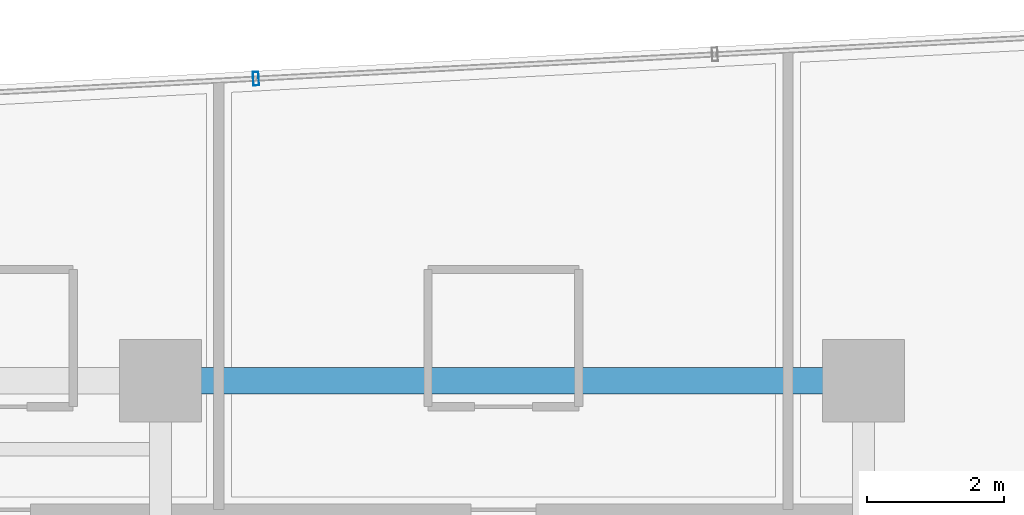
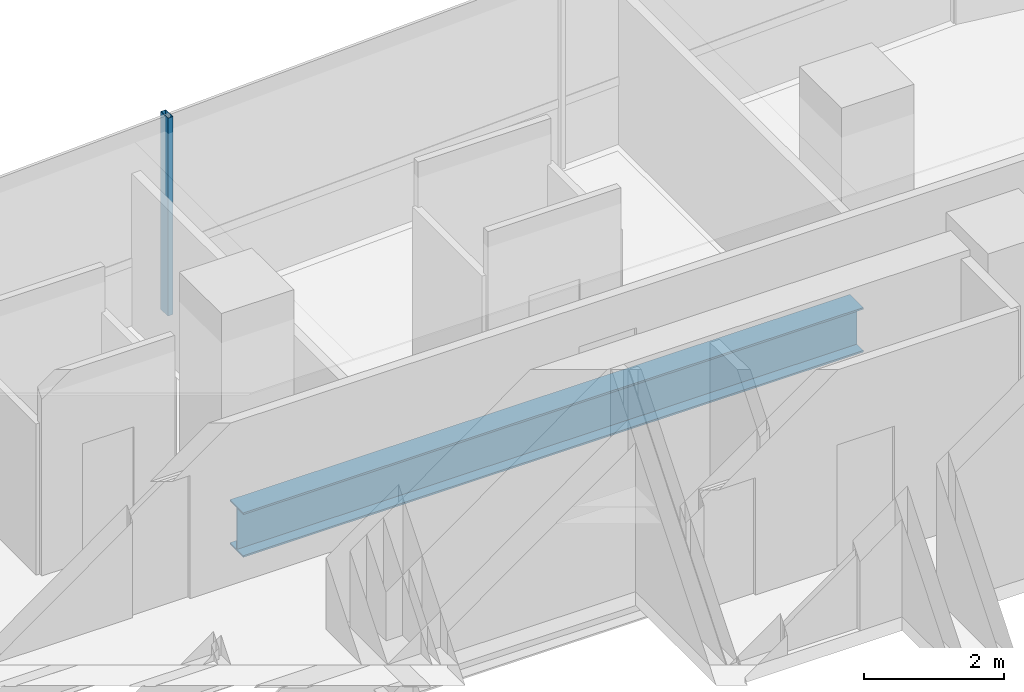
# One storey, part 19 of 33: 1 beam, 1 member, 1 element without a shape of its own.
"""IFC4 building model written with IfcOpenShell, lengths in metres."""

from ifc_helpers import new_model, si_unit, direction, frame, origin, origin_2d, place, context, subcontext, project, spatial, hollow_rectangle, i_section, extrude, source, transform, mapped, material, material_profile, profile_set, type_object, element, aggregate, save


model = new_model("IFC4")

# Units and contexts
model_context = context("Model", 3, precision=1e-05, world=origin(), true_north=direction((0.0, 1.0)))
body_context = subcontext(model_context, "Body", "Model", "MODEL_VIEW")
ifc_project = project(units=[si_unit("LENGTHUNIT", "METRE"), si_unit("AREAUNIT", "SQUARE_METRE"), si_unit("VOLUMEUNIT", "CUBIC_METRE"), si_unit("PLANEANGLEUNIT", "RADIAN"), si_unit("MASSUNIT", "GRAM", prefix="KILO")], contexts=[model_context])

# Site, building, storey
site_placement = place(None, origin())
site = spatial("IfcSite", under=ifc_project, at=site_placement, CompositionType="ELEMENT")
building_placement = place(site_placement, origin())
building = spatial("IfcBuilding", under=site, at=building_placement, Name="Valdorenza Pilgrim Sanctuary Tower", CompositionType="ELEMENT")
storey_placement = place(building_placement, frame((0.0, 0.0, 157.5)))
storey = spatial("IfcBuildingStorey", under=building, at=storey_placement, Name="L40", CompositionType="ELEMENT", Elevation=157.5)

# Beam
ifc_material_1 = material(Name="Steel ASTM A992 Grade 50", Category="steel")
ifc_material_profile_1 = material_profile(ifc_material_1, i_section(OverallWidth=0.382080078125, OverallDepth=0.779052734375, WebThickness=0.01806640625, FlangeThickness=0.030029296875, at=origin_2d()), Name="W30X191")
ifc_profile_set_1 = profile_set([ifc_material_profile_1], Name="Steel ASTM A992 Grade 50")
beam_type = type_object("IfcBeamType", Name="STR-BM-GRD-W30", PredefinedType="BEAM", material=ifc_profile_set_1)
shared_shape_1 = source(origin(), body_context, "Body", "SweptSolid", [
    extrude(i_section(OverallWidth=0.382080078125, OverallDepth=0.779052734375, WebThickness=0.01806640625, FlangeThickness=0.030029296875, at=origin_2d()), origin(), (0.0, 0.0, 1.0), 10.25),
])
beam_placement = place(storey_placement, frame((-22.64990234375, 14.800048828125, -0.62939453125), z_axis=(1.0, 0.0, 0.0), x_axis=(0.0, 1.0, 0.0)))
element("IfcBeam", 1, at=beam_placement, inside=storey, type_object=beam_type, Name="L40 Floor Girder CA-XC-N2", PredefinedType="BEAM", context=body_context, shape_type="MappedRepresentation", body=[
    mapped(shared_shape_1, transform((0.0, 0.0, 0.0), x_axis=(1.0, 0.0, 0.0), y_axis=(0.0, 1.0, 0.0), z_axis=(0.0, 0.0, 1.0), scale=1.0)),
])

# Curtain wall, member
ifc_material_2 = material(Name="Curtain-wall IGU glazing", Category="glass")
curtain_wall_type = type_object("IfcCurtainWallType", Name="CW-SYS-02", PredefinedType="NOTDEFINED", material=ifc_material_2)
curtain_wall_placement = place(storey_placement, origin())
curtain_wall = element("IfcCurtainWall", 2, at=curtain_wall_placement, inside=storey, type_object=curtain_wall_type, Name="L40 Curtain Wall CW-L40-1-6", PredefinedType="NOTDEFINED")
ifc_material_3 = material(Name="Anodised aluminium AW-6060", Category="aluminium")
ifc_material_profile_2 = material_profile(ifc_material_3, hollow_rectangle(XDim=0.0849609375, YDim=0.199951171875, WallThickness=0.0048828125, at=origin_2d()), Name="ALU-M 200x85x5")
ifc_profile_set_2 = profile_set([ifc_material_profile_2], Name="Anodised aluminium AW-6060")
member_type = type_object("IfcMemberType", Name="CW-MUL-02", PredefinedType="MULLION", material=ifc_profile_set_2)
shared_shape_2 = source(origin(), body_context, "Body", "SweptSolid", [
    extrude(hollow_rectangle(XDim=0.0849609375, YDim=0.199951171875, WallThickness=0.0048828125, at=origin_2d()), origin(), (0.0, 0.0, 1.0), 3.4599609375),
])
member_placement = place(storey_placement, frame((-21.259765625, 19.204345703125, 0.0), z_axis=(0.0, 0.0, 1.0), x_axis=(0.998607524712, 0.052754256601, 0.0)))
member = element("IfcMember", 3, at=member_placement, type_object=member_type, Name="CW-L40-1-6 Mullion 2", PredefinedType="MULLION", context=body_context, shape_type="MappedRepresentation", body=[
    mapped(shared_shape_2, transform((0.0, 0.0, 0.0), x_axis=(1.0, 0.0, 0.0), y_axis=(0.0, 1.0, 0.0), z_axis=(0.0, 0.0, 1.0), scale=1.0)),
])
aggregate(curtain_wall, [member])

save(model, "model.ifc")
